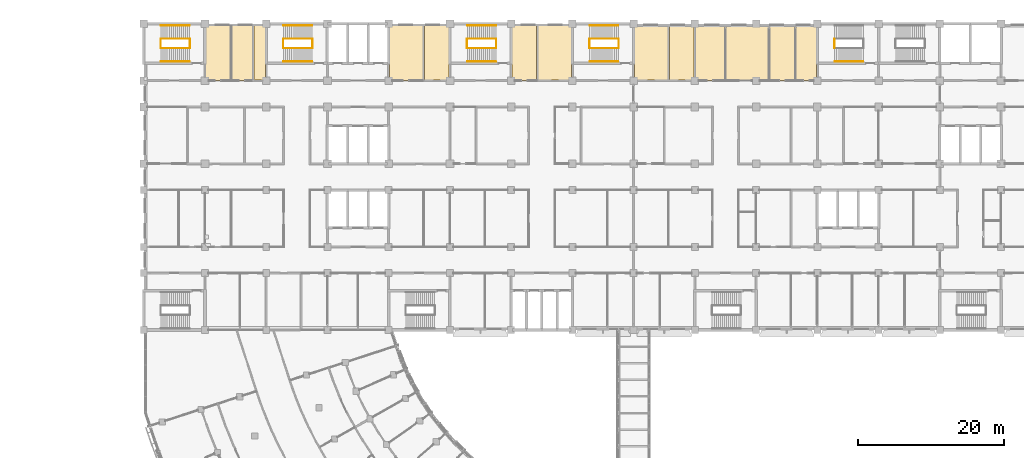
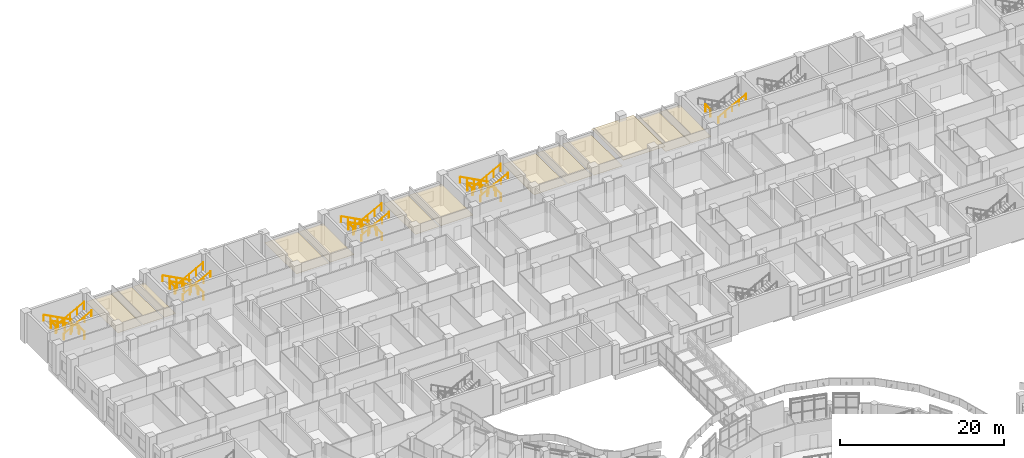
# One storey, part 133 of 136: 26 railings, 13 coverings.
"""IFC4 building model written with IfcOpenShell, lengths in metres."""

import ifcopenshell
import ifcopenshell.guid

model = None  # the IFC model being written
_history = None  # IfcOwnerHistory: only IFC2X3 demands one
_inside = {}  # id of a spatial element -> (the spatial element, [elements in it])
_under = {}  # id of a project, library or spatial element -> (it, [spatial elements below it])
_declared = {}  # id of a project -> (the project, [libraries it declares])
_typed = {}  # id of a type object -> (the type object, [elements of that type])
_made_of = {}  # id of a material, layer set ... -> (it, [elements and type objects made of it])


def new_model(schema):
    """Start an empty IFC model of exactly this schema.

    Asked for "IFC4X3", IfcOpenShell would pick the latest addendum, in which some entities
    have other attributes; the version numbers below select the first issue.
    IFC2X3 requires an IfcOwnerHistory on every rooted entity: one is made here for all.
    """
    global model, _history
    if schema == "IFC4X3":
        model = ifcopenshell.file(schema_version=(4, 3, 0, 0))
    else:
        model = ifcopenshell.file(schema=schema)
    _inside.clear()
    _under.clear()
    _declared.clear()
    _typed.clear()
    _made_of.clear()
    _history = None
    if model.schema == "IFC2X3":
        org = make("IfcOrganization", Name="unknown")
        user = make(
            "IfcPersonAndOrganization",
            ThePerson=make("IfcPerson", FamilyName="unknown"),
            TheOrganization=org,
        )
        app = make(
            "IfcApplication",
            ApplicationDeveloper=org,
            Version="unknown",
            ApplicationFullName="unknown",
            ApplicationIdentifier="unknown",
        )
        _history = make(
            "IfcOwnerHistory",
            OwningUser=user,
            OwningApplication=app,
            ChangeAction="ADDED",
            CreationDate=0,
        )
    return model


def make(cls, **values):
    """One entity of the class cls with the attributes given. An attribute that is None is left unset."""
    return model.create_entity(
        cls, **{name: value for name, value in values.items() if value is not None}
    )


def rooted(cls, **values):
    """An entity with a GlobalId (a new one), such as an element, a storey or a relation."""
    return make(cls, GlobalId=ifcopenshell.guid.new(), OwnerHistory=_history, **values)


def si_unit(unit_type, name, prefix=None):
    """IfcSIUnit, for example si_unit("LENGTHUNIT", "METRE", prefix="MILLI")."""
    return make("IfcSIUnit", UnitType=unit_type, Prefix=prefix, Name=name)


def assignment(units):
    """IfcUnitAssignment: the units of a project."""
    return None if units is None else make("IfcUnitAssignment", Units=units)


def point(xyz):
    """IfcCartesianPoint."""
    return None if xyz is None else make("IfcCartesianPoint", Coordinates=xyz)


def direction(xyz):
    """IfcDirection."""
    return None if xyz is None else make("IfcDirection", DirectionRatios=xyz)


def frame(location, z_axis=None, x_axis=None):
    """IfcAxis2Placement3D, a coordinate frame: its origin and axes. An axis left out is left unset."""
    return make(
        "IfcAxis2Placement3D",
        Location=point(location),
        Axis=direction(z_axis),
        RefDirection=direction(x_axis),
    )


def frame_2d(location, x_axis=None):
    """IfcAxis2Placement2D, a coordinate frame in the plane: its origin and x axis."""
    return make(
        "IfcAxis2Placement2D", Location=point(location), RefDirection=direction(x_axis)
    )


def origin():
    """The frame at (0, 0, 0) with its axes left unset."""
    return frame((0.0, 0.0, 0.0))


def origin_2d():
    """The frame at (0, 0) in the plane with its x axis left unset."""
    return frame_2d((0.0, 0.0))


def place(relative_to, where):
    """IfcLocalPlacement: puts the frame where relative to a parent placement (None: the world)."""
    return make(
        "IfcLocalPlacement", PlacementRelTo=relative_to, RelativePlacement=where
    )


def context(
    kind, dimensions, precision=None, world=None, true_north=None, identifier=None
):
    """IfcGeometricRepresentationContext, for example the 3D "Model" context."""
    return make(
        "IfcGeometricRepresentationContext",
        ContextIdentifier=identifier,
        ContextType=kind,
        CoordinateSpaceDimension=dimensions,
        Precision=precision,
        WorldCoordinateSystem=world,
        TrueNorth=true_north,
    )


def subcontext(parent, identifier, kind, view, scale=None):
    """IfcGeometricRepresentationSubContext, for example "Body" below "Model"."""
    return make(
        "IfcGeometricRepresentationSubContext",
        ContextIdentifier=identifier,
        ContextType=kind,
        ParentContext=parent,
        TargetScale=scale,
        TargetView=view,
    )


def project(units=None, contexts=None):
    """IfcProject with its units and contexts."""
    return rooted(
        "IfcProject",
        Name="project",
        RepresentationContexts=contexts,
        UnitsInContext=assignment(units),
    )


def spatial(cls, under=None, at=None, **own):
    """A site, building, storey or space (cls), placed at a placement, below another one or the project."""
    s = rooted(cls, ObjectPlacement=at, **own)
    if under is not None:
        _under.setdefault(under.id(), (under, []))[1].append(s)
    return s


def polyline(points):
    """IfcPolyline through the points."""
    return make("IfcPolyline", Points=[point(p) for p in points])


def profile(cls, at=None, kind="AREA", **sizes):
    """A parametric profile (cls). Its sizes go by their IFC names, for example OverallWidth=200.0."""
    return make(cls, ProfileType=kind, Position=at, **sizes)


def circle(**sizes):
    """IfcCircleProfileDef."""
    return profile("IfcCircleProfileDef", **sizes)


def outline(outer, holes=None, kind="AREA"):
    """IfcArbitraryClosedProfileDef: a profile drawn as a closed curve; with holes, ...WithVoids."""
    if holes is None:
        return make("IfcArbitraryClosedProfileDef", ProfileType=kind, OuterCurve=outer)
    return make(
        "IfcArbitraryProfileDefWithVoids",
        ProfileType=kind,
        OuterCurve=outer,
        InnerCurves=holes,
    )


def extrude(swept, where, along, depth):
    """IfcExtrudedAreaSolid: the profile swept, set in the frame where, extruded along a direction by depth."""
    return make(
        "IfcExtrudedAreaSolid",
        SweptArea=swept,
        Position=where,
        ExtrudedDirection=direction(along),
        Depth=depth,
    )


def shape(context_of_items, identifier, shape_type, items):
    """IfcShapeRepresentation: the items that make up one representation, for example the "Body"."""
    return make(
        "IfcShapeRepresentation",
        ContextOfItems=context_of_items,
        RepresentationIdentifier=identifier,
        RepresentationType=shape_type,
        Items=items,
    )


def material(Name=None, Category=None):
    """IfcMaterial."""
    return make("IfcMaterial", Name=Name, Category=Category)


def layer(
    of_material, thickness, ventilated=None, Name=None, Category=None, Priority=None
):
    """IfcMaterialLayer: one layer of a wall or slab, of a material (None: an air gap)."""
    return make(
        "IfcMaterialLayer",
        Material=of_material,
        LayerThickness=thickness,
        IsVentilated=ventilated,
        Name=Name,
        Category=Category,
        Priority=Priority,
    )


def layer_set(layers, Name=None):
    """IfcMaterialLayerSet."""
    return make("IfcMaterialLayerSet", MaterialLayers=layers, LayerSetName=Name)


def made_of(thing, what):
    """Note that an element or type object is made of a material, layer set ...; save() writes the relation."""
    if what is not None:
        _made_of.setdefault(what.id(), (what, []))[1].append(thing)
    return thing


def type_object(cls, material=None, **own):
    """A type object (cls), such as IfcWallType, which elements share."""
    return made_of(rooted(cls, **own), material)


def element(
    cls,
    number,
    at=None,
    inside=None,
    cuts=None,
    type_object=None,
    material=None,
    context=None,
    identifier="Body",
    shape_type=None,
    held_by="IfcProductDefinitionShape",
    body=None,
    shapes=None,
    **own,
):
    """One element of the class cls, such as IfcWall. Its Tag is "e" and its number.

    at: its placement. inside: the storey or other place that contains it. cuts: it is an
    opening in that element (IfcRelVoidsElement). A single representation is given by context,
    identifier, shape_type and body (its items); several are given by shapes. held_by: the class
    of the entity that holds the representations. save() writes the other relations.
    """
    e = rooted(cls, Tag="e%d" % number, ObjectPlacement=at, **own)
    if body is not None:
        shapes = [shape(context, identifier, shape_type, body)]
    if shapes is not None:
        e.Representation = make(held_by, Representations=shapes)
    if inside is not None:
        _inside.setdefault(inside.id(), (inside, []))[1].append(e)
    if cuts is not None:
        rooted(
            "IfcRelVoidsElement", RelatingBuildingElement=cuts, RelatedOpeningElement=e
        )
    if type_object is not None:
        _typed.setdefault(type_object.id(), (type_object, []))[1].append(e)
    return made_of(e, material)


def aggregate(whole, parts):
    """IfcRelAggregates: a whole, such as a stair, and the parts it consists of."""
    return rooted("IfcRelAggregates", RelatingObject=whole, RelatedObjects=parts)


def save(model, path):
    """Write the relations noted so far, then the file.

    IfcRelAggregates (storeys below a building ...), IfcRelContainedInSpatialStructure (elements
    in a storey), IfcRelDefinesByType, IfcRelAssociatesMaterial and IfcRelDeclares: one each for
    every whole, place, type object, material and project.
    """
    for whole, parts in _under.values():
        aggregate(whole, parts)
    for where, things in _inside.values():
        rooted(
            "IfcRelContainedInSpatialStructure",
            RelatedElements=things,
            RelatingStructure=where,
        )
    for kind, things in _typed.values():
        rooted("IfcRelDefinesByType", RelatedObjects=things, RelatingType=kind)
    for what, things in _made_of.values():
        rooted("IfcRelAssociatesMaterial", RelatedObjects=things, RelatingMaterial=what)
    for by, libraries in _declared.values():
        rooted("IfcRelDeclares", RelatingContext=by, RelatedDefinitions=libraries)
    model.write(path)


model = new_model("IFC4")

# Units and contexts
model_context = context("Model", 3, precision=1e-05, world=origin(), true_north=direction((0.0, 1.0)))
body_context = subcontext(model_context, "Body", "Model", "MODEL_VIEW")
ifc_project = project(units=[si_unit("LENGTHUNIT", "METRE"), si_unit("AREAUNIT", "SQUARE_METRE"), si_unit("VOLUMEUNIT", "CUBIC_METRE"), si_unit("PLANEANGLEUNIT", "RADIAN"), si_unit("MASSUNIT", "GRAM", prefix="KILO")], contexts=[model_context])

# Site, building, storey
site_placement = place(None, origin())
site = spatial("IfcSite", under=ifc_project, at=site_placement, CompositionType="ELEMENT")
building_placement = place(site_placement, origin())
building = spatial("IfcBuilding", under=site, at=building_placement, Name="Bougainvillea Quay General Hospital", CompositionType="ELEMENT")
storey_placement = place(building_placement, frame((0.0, 0.0, 5.39990234375)))
storey = spatial("IfcBuildingStorey", under=building, at=storey_placement, Name="L01", CompositionType="ELEMENT", Elevation=5.39990234375)

# Railings
ifc_material_1 = material(Name="Stainless steel 304 balustrade", Category="steel")
railing_type_1 = type_object("IfcRailingType", Name="Stair guard 1100", PredefinedType="GUARDRAIL", material=ifc_material_1)
railing_1_placement = place(storey_placement, frame((65.10009765625, 157.550048828125, 0.150146484375)))
element("IfcRailing", 1, at=railing_1_placement, inside=storey, type_object=railing_type_1, Name="L01 ST-D1 stair guard 1", PredefinedType="GUARDRAIL", context=body_context, shape_type="SweptSolid", body=[
    extrude(circle(Radius=0.02392578125, at=origin_2d()), frame((0.0, 0.0, 1.076171875), z_axis=(-0.881502004561, 0.0, 0.472180279083), x_axis=(0.0, -1.0, 0.0)), (0.0, 0.0, 1.0), 4.447265625),
    extrude(circle(Radius=0.02099609375, at=origin_2d()), origin(), (0.0, 0.0, 1.0), 1.052001953125),
    extrude(circle(Radius=0.02099609375, at=origin_2d()), frame((-0.97998046875, 0.0, 0.52490234375)), (0.0, 0.0, 1.0), 1.052001953125),
    extrude(circle(Radius=0.02099609375, at=origin_2d()), frame((-1.9599609375, 0.0, 1.0498046875)), (0.0, 0.0, 1.0), 1.052001953125),
    extrude(circle(Radius=0.02099609375, at=origin_2d()), frame((-2.940185546875, 0.0, 1.574951171875)), (0.0, 0.0, 1.0), 1.052001953125),
    extrude(circle(Radius=0.02099609375, at=origin_2d()), frame((-3.920166015625, 0.0, 2.099853515625)), (0.0, 0.0, 1.0), 1.052001953125),
])
railing_2_placement = place(storey_placement, frame((61.1298828125, 157.5, 2.25)))
element("IfcRailing", 2, at=railing_2_placement, inside=storey, type_object=railing_type_1, Name="L01 ST-D1 stair guard 2", PredefinedType="GUARDRAIL", context=body_context, shape_type="SweptSolid", body=[
    extrude(circle(Radius=0.02392578125, at=origin_2d()), frame((0.0, 0.0, 1.076171875), z_axis=(0.0, -1.0, 0.0), x_axis=(1.0, 0.0, 0.0)), (0.0, 0.0, 1.0), 1.199951171875),
    extrude(circle(Radius=0.02099609375, at=origin_2d()), origin(), (0.0, 0.0, 1.0), 1.052001953125),
    extrude(circle(Radius=0.02099609375, at=origin_2d()), frame((0.0, -1.199951171875, 0.0)), (0.0, 0.0, 1.0), 1.052001953125),
])
railing_3_placement = place(storey_placement, frame((61.179931640625, 156.25, 2.400146484375)))
element("IfcRailing", 3, at=railing_3_placement, inside=storey, type_object=railing_type_1, Name="L01 ST-D1 stair guard 3", PredefinedType="GUARDRAIL", context=body_context, shape_type="SweptSolid", body=[
    extrude(circle(Radius=0.02392578125, at=origin_2d()), frame((0.0, 0.0, 1.076171875), z_axis=(0.881502004561, 0.0, 0.472180279083), x_axis=(0.0, 1.0, 0.0)), (0.0, 0.0, 1.0), 4.447265625),
    extrude(circle(Radius=0.02099609375, at=origin_2d()), origin(), (0.0, 0.0, 1.0), 1.052001953125),
    extrude(circle(Radius=0.02099609375, at=origin_2d()), frame((0.97998046875, 0.0, 0.52490234375)), (0.0, 0.0, 1.0), 1.052001953125),
    extrude(circle(Radius=0.02099609375, at=origin_2d()), frame((1.9599609375, 0.0, 1.0498046875)), (0.0, 0.0, 1.0), 1.052001953125),
    extrude(circle(Radius=0.02099609375, at=origin_2d()), frame((2.940185546875, 0.0, 1.574951171875)), (0.0, 0.0, 1.0), 1.052001953125),
    extrude(circle(Radius=0.02099609375, at=origin_2d()), frame((3.920166015625, 0.0, 2.099853515625)), (0.0, 0.0, 1.0), 1.052001953125),
])
railing_4_placement = place(storey_placement, frame((65.14990234375, 157.5, 0.0)))
element("IfcRailing", 4, at=railing_4_placement, inside=storey, type_object=railing_type_1, Name="L01 ST-D1 stair guard 4", PredefinedType="GUARDRAIL", context=body_context, shape_type="SweptSolid", body=[
    extrude(circle(Radius=0.02392578125, at=origin_2d()), frame((0.0, 0.0, 1.076171875), z_axis=(0.0, -1.0, 0.0), x_axis=(1.0, 0.0, 0.0)), (0.0, 0.0, 1.0), 1.199951171875),
    extrude(circle(Radius=0.02099609375, at=origin_2d()), origin(), (0.0, 0.0, 1.0), 1.052001953125),
    extrude(circle(Radius=0.02099609375, at=origin_2d()), frame((0.0, -1.199951171875, 0.0)), (0.0, 0.0, 1.0), 1.052001953125),
])
railing_5_placement = place(storey_placement, frame((48.300048828125, 157.550048828125, 0.150146484375)))
element("IfcRailing", 5, at=railing_5_placement, inside=storey, type_object=railing_type_1, Name="L01 ST-A1 stair guard 1", PredefinedType="GUARDRAIL", context=body_context, shape_type="SweptSolid", body=[
    extrude(circle(Radius=0.02392578125, at=origin_2d()), frame((0.0, 0.0, 1.076171875), z_axis=(-0.881502004561, 0.0, 0.472180279083), x_axis=(0.0, -1.0, 0.0)), (0.0, 0.0, 1.0), 4.447265625),
    extrude(circle(Radius=0.02099609375, at=origin_2d()), origin(), (0.0, 0.0, 1.0), 1.052001953125),
    extrude(circle(Radius=0.02099609375, at=origin_2d()), frame((-0.97998046875, 0.0, 0.52490234375)), (0.0, 0.0, 1.0), 1.052001953125),
    extrude(circle(Radius=0.02099609375, at=origin_2d()), frame((-1.9599609375, 0.0, 1.0498046875)), (0.0, 0.0, 1.0), 1.052001953125),
    extrude(circle(Radius=0.02099609375, at=origin_2d()), frame((-2.940185546875, 0.0, 1.574951171875)), (0.0, 0.0, 1.0), 1.052001953125),
    extrude(circle(Radius=0.02099609375, at=origin_2d()), frame((-3.920166015625, 0.0, 2.099853515625)), (0.0, 0.0, 1.0), 1.052001953125),
])
railing_6_placement = place(storey_placement, frame((44.330078125, 157.5, 2.25)))
element("IfcRailing", 6, at=railing_6_placement, inside=storey, type_object=railing_type_1, Name="L01 ST-A1 stair guard 2", PredefinedType="GUARDRAIL", context=body_context, shape_type="SweptSolid", body=[
    extrude(circle(Radius=0.02392578125, at=origin_2d()), frame((0.0, 0.0, 1.076171875), z_axis=(0.0, -1.0, 0.0), x_axis=(1.0, 0.0, 0.0)), (0.0, 0.0, 1.0), 1.199951171875),
    extrude(circle(Radius=0.02099609375, at=origin_2d()), origin(), (0.0, 0.0, 1.0), 1.052001953125),
    extrude(circle(Radius=0.02099609375, at=origin_2d()), frame((0.0, -1.199951171875, 0.0)), (0.0, 0.0, 1.0), 1.052001953125),
])
railing_7_placement = place(storey_placement, frame((44.3798828125, 156.25, 2.400146484375)))
element("IfcRailing", 7, at=railing_7_placement, inside=storey, type_object=railing_type_1, Name="L01 ST-A1 stair guard 3", PredefinedType="GUARDRAIL", context=body_context, shape_type="SweptSolid", body=[
    extrude(circle(Radius=0.02392578125, at=origin_2d()), frame((0.0, 0.0, 1.076171875), z_axis=(0.881502004561, 0.0, 0.472180279083), x_axis=(0.0, 1.0, 0.0)), (0.0, 0.0, 1.0), 4.447265625),
    extrude(circle(Radius=0.02099609375, at=origin_2d()), origin(), (0.0, 0.0, 1.0), 1.052001953125),
    extrude(circle(Radius=0.02099609375, at=origin_2d()), frame((0.97998046875, 0.0, 0.52490234375)), (0.0, 0.0, 1.0), 1.052001953125),
    extrude(circle(Radius=0.02099609375, at=origin_2d()), frame((1.9599609375, 0.0, 1.0498046875)), (0.0, 0.0, 1.0), 1.052001953125),
    extrude(circle(Radius=0.02099609375, at=origin_2d()), frame((2.940185546875, 0.0, 1.574951171875)), (0.0, 0.0, 1.0), 1.052001953125),
    extrude(circle(Radius=0.02099609375, at=origin_2d()), frame((3.920166015625, 0.0, 2.099853515625)), (0.0, 0.0, 1.0), 1.052001953125),
])
railing_8_placement = place(storey_placement, frame((48.35009765625, 157.5, 0.0)))
element("IfcRailing", 8, at=railing_8_placement, inside=storey, type_object=railing_type_1, Name="L01 ST-A1 stair guard 4", PredefinedType="GUARDRAIL", context=body_context, shape_type="SweptSolid", body=[
    extrude(circle(Radius=0.02392578125, at=origin_2d()), frame((0.0, 0.0, 1.076171875), z_axis=(0.0, -1.0, 0.0), x_axis=(1.0, 0.0, 0.0)), (0.0, 0.0, 1.0), 1.199951171875),
    extrude(circle(Radius=0.02099609375, at=origin_2d()), origin(), (0.0, 0.0, 1.0), 1.052001953125),
    extrude(circle(Radius=0.02099609375, at=origin_2d()), frame((0.0, -1.199951171875, 0.0)), (0.0, 0.0, 1.0), 1.052001953125),
])
railing_9_placement = place(storey_placement, frame((90.300048828125, 157.550048828125, 0.150146484375)))
element("IfcRailing", 9, at=railing_9_placement, inside=storey, type_object=railing_type_1, Name="L01 ST-A2 stair guard 1", PredefinedType="GUARDRAIL", context=body_context, shape_type="SweptSolid", body=[
    extrude(circle(Radius=0.02392578125, at=origin_2d()), frame((0.0, 0.0, 1.076171875), z_axis=(-0.881502004561, 0.0, 0.472180279083), x_axis=(0.0, -1.0, 0.0)), (0.0, 0.0, 1.0), 4.447265625),
    extrude(circle(Radius=0.02099609375, at=origin_2d()), origin(), (0.0, 0.0, 1.0), 1.052001953125),
    extrude(circle(Radius=0.02099609375, at=origin_2d()), frame((-0.97998046875, 0.0, 0.52490234375)), (0.0, 0.0, 1.0), 1.052001953125),
    extrude(circle(Radius=0.02099609375, at=origin_2d()), frame((-1.9599609375, 0.0, 1.0498046875)), (0.0, 0.0, 1.0), 1.052001953125),
    extrude(circle(Radius=0.02099609375, at=origin_2d()), frame((-2.940185546875, 0.0, 1.574951171875)), (0.0, 0.0, 1.0), 1.052001953125),
    extrude(circle(Radius=0.02099609375, at=origin_2d()), frame((-3.920166015625, 0.0, 2.099853515625)), (0.0, 0.0, 1.0), 1.052001953125),
])
railing_10_placement = place(storey_placement, frame((86.330078125, 157.5, 2.25)))
element("IfcRailing", 10, at=railing_10_placement, inside=storey, type_object=railing_type_1, Name="L01 ST-A2 stair guard 2", PredefinedType="GUARDRAIL", context=body_context, shape_type="SweptSolid", body=[
    extrude(circle(Radius=0.02392578125, at=origin_2d()), frame((0.0, 0.0, 1.076171875), z_axis=(0.0, -1.0, 0.0), x_axis=(1.0, 0.0, 0.0)), (0.0, 0.0, 1.0), 1.199951171875),
    extrude(circle(Radius=0.02099609375, at=origin_2d()), origin(), (0.0, 0.0, 1.0), 1.052001953125),
    extrude(circle(Radius=0.02099609375, at=origin_2d()), frame((0.0, -1.199951171875, 0.0)), (0.0, 0.0, 1.0), 1.052001953125),
])
railing_11_placement = place(storey_placement, frame((86.3798828125, 156.25, 2.400146484375)))
element("IfcRailing", 11, at=railing_11_placement, inside=storey, type_object=railing_type_1, Name="L01 ST-A2 stair guard 3", PredefinedType="GUARDRAIL", context=body_context, shape_type="SweptSolid", body=[
    extrude(circle(Radius=0.02392578125, at=origin_2d()), frame((0.0, 0.0, 1.076171875), z_axis=(0.881502004561, 0.0, 0.472180279083), x_axis=(0.0, 1.0, 0.0)), (0.0, 0.0, 1.0), 4.447265625),
    extrude(circle(Radius=0.02099609375, at=origin_2d()), origin(), (0.0, 0.0, 1.0), 1.052001953125),
    extrude(circle(Radius=0.02099609375, at=origin_2d()), frame((0.97998046875, 0.0, 0.52490234375)), (0.0, 0.0, 1.0), 1.052001953125),
    extrude(circle(Radius=0.02099609375, at=origin_2d()), frame((1.9599609375, 0.0, 1.0498046875)), (0.0, 0.0, 1.0), 1.052001953125),
    extrude(circle(Radius=0.02099609375, at=origin_2d()), frame((2.940185546875, 0.0, 1.574951171875)), (0.0, 0.0, 1.0), 1.052001953125),
    extrude(circle(Radius=0.02099609375, at=origin_2d()), frame((3.920166015625, 0.0, 2.099853515625)), (0.0, 0.0, 1.0), 1.052001953125),
])
for number, where, name in (
    (12, (90.35009765625, 157.5, 0.0), "L01 ST-A2 stair guard 4"),
    (13, (136.72998046875, 157.5, 2.25), "L01 ST-A3 stair guard 2"),
):
    element("IfcRailing", number, at=place(storey_placement, frame(where)), inside=storey, type_object=railing_type_1, Name=name, PredefinedType="GUARDRAIL", context=body_context, shape_type="SweptSolid", body=[
        extrude(circle(Radius=0.02392578125, at=origin_2d()), frame((0.0, 0.0, 1.076171875), z_axis=(0.0, -1.0, 0.0), x_axis=(1.0, 0.0, 0.0)), (0.0, 0.0, 1.0), 1.199951171875),
        extrude(circle(Radius=0.02099609375, at=origin_2d()), origin(), (0.0, 0.0, 1.0), 1.052001953125),
        extrude(circle(Radius=0.02099609375, at=origin_2d()), frame((0.0, -1.199951171875, 0.0)), (0.0, 0.0, 1.0), 1.052001953125),
    ])
railing_12_placement = place(storey_placement, frame((107.10009765625, 157.550048828125, 0.150146484375)))
element("IfcRailing", 14, at=railing_12_placement, inside=storey, type_object=railing_type_1, Name="L01 ST-A5 stair guard 1", PredefinedType="GUARDRAIL", context=body_context, shape_type="SweptSolid", body=[
    extrude(circle(Radius=0.02392578125, at=origin_2d()), frame((0.0, 0.0, 1.076171875), z_axis=(-0.881502004561, 0.0, 0.472180279083), x_axis=(0.0, -1.0, 0.0)), (0.0, 0.0, 1.0), 4.447265625),
    extrude(circle(Radius=0.02099609375, at=origin_2d()), origin(), (0.0, 0.0, 1.0), 1.052001953125),
    extrude(circle(Radius=0.02099609375, at=origin_2d()), frame((-0.97998046875, 0.0, 0.52490234375)), (0.0, 0.0, 1.0), 1.052001953125),
    extrude(circle(Radius=0.02099609375, at=origin_2d()), frame((-1.9599609375, 0.0, 1.0498046875)), (0.0, 0.0, 1.0), 1.052001953125),
    extrude(circle(Radius=0.02099609375, at=origin_2d()), frame((-2.940185546875, 0.0, 1.574951171875)), (0.0, 0.0, 1.0), 1.052001953125),
    extrude(circle(Radius=0.02099609375, at=origin_2d()), frame((-3.920166015625, 0.0, 2.099853515625)), (0.0, 0.0, 1.0), 1.052001953125),
])
railing_13_placement = place(storey_placement, frame((103.1298828125, 157.5, 2.25)))
element("IfcRailing", 15, at=railing_13_placement, inside=storey, type_object=railing_type_1, Name="L01 ST-A5 stair guard 2", PredefinedType="GUARDRAIL", context=body_context, shape_type="SweptSolid", body=[
    extrude(circle(Radius=0.02392578125, at=origin_2d()), frame((0.0, 0.0, 1.076171875), z_axis=(0.0, -1.0, 0.0), x_axis=(1.0, 0.0, 0.0)), (0.0, 0.0, 1.0), 1.199951171875),
    extrude(circle(Radius=0.02099609375, at=origin_2d()), origin(), (0.0, 0.0, 1.0), 1.052001953125),
    extrude(circle(Radius=0.02099609375, at=origin_2d()), frame((0.0, -1.199951171875, 0.0)), (0.0, 0.0, 1.0), 1.052001953125),
])
railing_14_placement = place(storey_placement, frame((103.179931640625, 156.25, 2.400146484375)))
element("IfcRailing", 16, at=railing_14_placement, inside=storey, type_object=railing_type_1, Name="L01 ST-A5 stair guard 3", PredefinedType="GUARDRAIL", context=body_context, shape_type="SweptSolid", body=[
    extrude(circle(Radius=0.02392578125, at=origin_2d()), frame((0.0, 0.0, 1.076171875), z_axis=(0.881502004561, 0.0, 0.472180279083), x_axis=(0.0, 1.0, 0.0)), (0.0, 0.0, 1.0), 4.447265625),
    extrude(circle(Radius=0.02099609375, at=origin_2d()), origin(), (0.0, 0.0, 1.0), 1.052001953125),
    extrude(circle(Radius=0.02099609375, at=origin_2d()), frame((0.97998046875, 0.0, 0.52490234375)), (0.0, 0.0, 1.0), 1.052001953125),
    extrude(circle(Radius=0.02099609375, at=origin_2d()), frame((1.9599609375, 0.0, 1.0498046875)), (0.0, 0.0, 1.0), 1.052001953125),
    extrude(circle(Radius=0.02099609375, at=origin_2d()), frame((2.940185546875, 0.0, 1.574951171875)), (0.0, 0.0, 1.0), 1.052001953125),
    extrude(circle(Radius=0.02099609375, at=origin_2d()), frame((3.920166015625, 0.0, 2.099853515625)), (0.0, 0.0, 1.0), 1.052001953125),
])
railing_15_placement = place(storey_placement, frame((107.14990234375, 157.5, 0.0)))
element("IfcRailing", 17, at=railing_15_placement, inside=storey, type_object=railing_type_1, Name="L01 ST-A5 stair guard 4", PredefinedType="GUARDRAIL", context=body_context, shape_type="SweptSolid", body=[
    extrude(circle(Radius=0.02392578125, at=origin_2d()), frame((0.0, 0.0, 1.076171875), z_axis=(0.0, -1.0, 0.0), x_axis=(1.0, 0.0, 0.0)), (0.0, 0.0, 1.0), 1.199951171875),
    extrude(circle(Radius=0.02099609375, at=origin_2d()), origin(), (0.0, 0.0, 1.0), 1.052001953125),
    extrude(circle(Radius=0.02099609375, at=origin_2d()), frame((0.0, -1.199951171875, 0.0)), (0.0, 0.0, 1.0), 1.052001953125),
])
ifc_material_2 = material(Name="Stainless steel 304 handrail", Category="steel")
railing_type_2 = type_object("IfcRailingType", Name="Stair handrail 900", PredefinedType="HANDRAIL", material=ifc_material_2)
railing_16_placement = place(storey_placement, frame((65.10009765625, 159.375, 0.150146484375)))
element("IfcRailing", 18, at=railing_16_placement, inside=storey, type_object=railing_type_2, Name="L01 ST-D1 stair handrail 1", PredefinedType="HANDRAIL", context=body_context, shape_type="SweptSolid", body=[
    extrude(circle(Radius=0.02392578125, at=origin_2d()), frame((0.0, 0.0, 0.8759765625), z_axis=(-0.881502004561, 0.0, 0.472180279083), x_axis=(0.0, -1.0, 0.0)), (0.0, 0.0, 1.0), 4.447265625),
    extrude(circle(Radius=0.02099609375, at=origin_2d()), origin(), (0.0, 0.0, 1.0), 0.851806640625),
    extrude(circle(Radius=0.02099609375, at=origin_2d()), frame((-0.97998046875, 0.0, 0.52490234375)), (0.0, 0.0, 1.0), 0.851806640625),
    extrude(circle(Radius=0.02099609375, at=origin_2d()), frame((-1.9599609375, 0.0, 1.0498046875)), (0.0, 0.0, 1.0), 0.851806640625),
    extrude(circle(Radius=0.02099609375, at=origin_2d()), frame((-2.940185546875, 0.0, 1.574951171875)), (0.0, 0.0, 1.0), 0.851806640625),
    extrude(circle(Radius=0.02099609375, at=origin_2d()), frame((-3.920166015625, 0.0, 2.099853515625)), (0.0, 0.0, 1.0), 0.851806640625),
])
railing_17_placement = place(storey_placement, frame((61.179931640625, 154.425048828125, 2.400146484375)))
element("IfcRailing", 19, at=railing_17_placement, inside=storey, type_object=railing_type_2, Name="L01 ST-D1 stair handrail 2", PredefinedType="HANDRAIL", context=body_context, shape_type="SweptSolid", body=[
    extrude(circle(Radius=0.02392578125, at=origin_2d()), frame((0.0, 0.0, 0.8759765625), z_axis=(0.881502004561, 0.0, 0.472180279083), x_axis=(0.0, 1.0, 0.0)), (0.0, 0.0, 1.0), 4.447265625),
    extrude(circle(Radius=0.02099609375, at=origin_2d()), origin(), (0.0, 0.0, 1.0), 0.851806640625),
    extrude(circle(Radius=0.02099609375, at=origin_2d()), frame((0.97998046875, 0.0, 0.52490234375)), (0.0, 0.0, 1.0), 0.851806640625),
    extrude(circle(Radius=0.02099609375, at=origin_2d()), frame((1.9599609375, 0.0, 1.0498046875)), (0.0, 0.0, 1.0), 0.851806640625),
    extrude(circle(Radius=0.02099609375, at=origin_2d()), frame((2.940185546875, 0.0, 1.574951171875)), (0.0, 0.0, 1.0), 0.851806640625),
    extrude(circle(Radius=0.02099609375, at=origin_2d()), frame((3.920166015625, 0.0, 2.099853515625)), (0.0, 0.0, 1.0), 0.851806640625),
])
railing_18_placement = place(storey_placement, frame((48.300048828125, 159.375, 0.150146484375)))
element("IfcRailing", 20, at=railing_18_placement, inside=storey, type_object=railing_type_2, Name="L01 ST-A1 stair handrail 1", PredefinedType="HANDRAIL", context=body_context, shape_type="SweptSolid", body=[
    extrude(circle(Radius=0.02392578125, at=origin_2d()), frame((0.0, 0.0, 0.8759765625), z_axis=(-0.881502004561, 0.0, 0.472180279083), x_axis=(0.0, -1.0, 0.0)), (0.0, 0.0, 1.0), 4.447265625),
    extrude(circle(Radius=0.02099609375, at=origin_2d()), origin(), (0.0, 0.0, 1.0), 0.851806640625),
    extrude(circle(Radius=0.02099609375, at=origin_2d()), frame((-0.97998046875, 0.0, 0.52490234375)), (0.0, 0.0, 1.0), 0.851806640625),
    extrude(circle(Radius=0.02099609375, at=origin_2d()), frame((-1.9599609375, 0.0, 1.0498046875)), (0.0, 0.0, 1.0), 0.851806640625),
    extrude(circle(Radius=0.02099609375, at=origin_2d()), frame((-2.940185546875, 0.0, 1.574951171875)), (0.0, 0.0, 1.0), 0.851806640625),
    extrude(circle(Radius=0.02099609375, at=origin_2d()), frame((-3.920166015625, 0.0, 2.099853515625)), (0.0, 0.0, 1.0), 0.851806640625),
])
railing_19_placement = place(storey_placement, frame((44.3798828125, 154.425048828125, 2.400146484375)))
element("IfcRailing", 21, at=railing_19_placement, inside=storey, type_object=railing_type_2, Name="L01 ST-A1 stair handrail 2", PredefinedType="HANDRAIL", context=body_context, shape_type="SweptSolid", body=[
    extrude(circle(Radius=0.02392578125, at=origin_2d()), frame((0.0, 0.0, 0.8759765625), z_axis=(0.881502004561, 0.0, 0.472180279083), x_axis=(0.0, 1.0, 0.0)), (0.0, 0.0, 1.0), 4.447265625),
    extrude(circle(Radius=0.02099609375, at=origin_2d()), origin(), (0.0, 0.0, 1.0), 0.851806640625),
    extrude(circle(Radius=0.02099609375, at=origin_2d()), frame((0.97998046875, 0.0, 0.52490234375)), (0.0, 0.0, 1.0), 0.851806640625),
    extrude(circle(Radius=0.02099609375, at=origin_2d()), frame((1.9599609375, 0.0, 1.0498046875)), (0.0, 0.0, 1.0), 0.851806640625),
    extrude(circle(Radius=0.02099609375, at=origin_2d()), frame((2.940185546875, 0.0, 1.574951171875)), (0.0, 0.0, 1.0), 0.851806640625),
    extrude(circle(Radius=0.02099609375, at=origin_2d()), frame((3.920166015625, 0.0, 2.099853515625)), (0.0, 0.0, 1.0), 0.851806640625),
])
railing_20_placement = place(storey_placement, frame((90.300048828125, 159.375, 0.150146484375)))
element("IfcRailing", 22, at=railing_20_placement, inside=storey, type_object=railing_type_2, Name="L01 ST-A2 stair handrail 1", PredefinedType="HANDRAIL", context=body_context, shape_type="SweptSolid", body=[
    extrude(circle(Radius=0.02392578125, at=origin_2d()), frame((0.0, 0.0, 0.8759765625), z_axis=(-0.881502004561, 0.0, 0.472180279083), x_axis=(0.0, -1.0, 0.0)), (0.0, 0.0, 1.0), 4.447265625),
    extrude(circle(Radius=0.02099609375, at=origin_2d()), origin(), (0.0, 0.0, 1.0), 0.851806640625),
    extrude(circle(Radius=0.02099609375, at=origin_2d()), frame((-0.97998046875, 0.0, 0.52490234375)), (0.0, 0.0, 1.0), 0.851806640625),
    extrude(circle(Radius=0.02099609375, at=origin_2d()), frame((-1.9599609375, 0.0, 1.0498046875)), (0.0, 0.0, 1.0), 0.851806640625),
    extrude(circle(Radius=0.02099609375, at=origin_2d()), frame((-2.940185546875, 0.0, 1.574951171875)), (0.0, 0.0, 1.0), 0.851806640625),
    extrude(circle(Radius=0.02099609375, at=origin_2d()), frame((-3.920166015625, 0.0, 2.099853515625)), (0.0, 0.0, 1.0), 0.851806640625),
])
railing_21_placement = place(storey_placement, frame((86.3798828125, 154.425048828125, 2.400146484375)))
element("IfcRailing", 23, at=railing_21_placement, inside=storey, type_object=railing_type_2, Name="L01 ST-A2 stair handrail 2", PredefinedType="HANDRAIL", context=body_context, shape_type="SweptSolid", body=[
    extrude(circle(Radius=0.02392578125, at=origin_2d()), frame((0.0, 0.0, 0.8759765625), z_axis=(0.881502004561, 0.0, 0.472180279083), x_axis=(0.0, 1.0, 0.0)), (0.0, 0.0, 1.0), 4.447265625),
    extrude(circle(Radius=0.02099609375, at=origin_2d()), origin(), (0.0, 0.0, 1.0), 0.851806640625),
    extrude(circle(Radius=0.02099609375, at=origin_2d()), frame((0.97998046875, 0.0, 0.52490234375)), (0.0, 0.0, 1.0), 0.851806640625),
    extrude(circle(Radius=0.02099609375, at=origin_2d()), frame((1.9599609375, 0.0, 1.0498046875)), (0.0, 0.0, 1.0), 0.851806640625),
    extrude(circle(Radius=0.02099609375, at=origin_2d()), frame((2.940185546875, 0.0, 1.574951171875)), (0.0, 0.0, 1.0), 0.851806640625),
    extrude(circle(Radius=0.02099609375, at=origin_2d()), frame((3.920166015625, 0.0, 2.099853515625)), (0.0, 0.0, 1.0), 0.851806640625),
])
railing_22_placement = place(storey_placement, frame((136.780029296875, 154.425048828125, 2.400146484375)))
element("IfcRailing", 24, at=railing_22_placement, inside=storey, type_object=railing_type_2, Name="L01 ST-A3 stair handrail 2", PredefinedType="HANDRAIL", context=body_context, shape_type="SweptSolid", body=[
    extrude(circle(Radius=0.02392578125, at=origin_2d()), frame((0.0, 0.0, 0.8759765625), z_axis=(0.881489763865, 0.0, 0.472203130232), x_axis=(0.0, 1.0, 0.0)), (0.0, 0.0, 1.0), 4.447021484375),
    extrude(circle(Radius=0.02099609375, at=origin_2d()), origin(), (0.0, 0.0, 1.0), 0.851806640625),
    extrude(circle(Radius=0.02099609375, at=origin_2d()), frame((0.97998046875, 0.0, 0.52490234375)), (0.0, 0.0, 1.0), 0.851806640625),
    extrude(circle(Radius=0.02099609375, at=origin_2d()), frame((1.9599609375, 0.0, 1.0498046875)), (0.0, 0.0, 1.0), 0.851806640625),
    extrude(circle(Radius=0.02099609375, at=origin_2d()), frame((2.93994140625, 0.0, 1.574951171875)), (0.0, 0.0, 1.0), 0.851806640625),
    extrude(circle(Radius=0.02099609375, at=origin_2d()), frame((3.919921875, 0.0, 2.099853515625)), (0.0, 0.0, 1.0), 0.851806640625),
])
railing_23_placement = place(storey_placement, frame((107.10009765625, 159.375, 0.150146484375)))
element("IfcRailing", 25, at=railing_23_placement, inside=storey, type_object=railing_type_2, Name="L01 ST-A5 stair handrail 1", PredefinedType="HANDRAIL", context=body_context, shape_type="SweptSolid", body=[
    extrude(circle(Radius=0.02392578125, at=origin_2d()), frame((0.0, 0.0, 0.8759765625), z_axis=(-0.881502004561, 0.0, 0.472180279083), x_axis=(0.0, -1.0, 0.0)), (0.0, 0.0, 1.0), 4.447265625),
    extrude(circle(Radius=0.02099609375, at=origin_2d()), origin(), (0.0, 0.0, 1.0), 0.851806640625),
    extrude(circle(Radius=0.02099609375, at=origin_2d()), frame((-0.97998046875, 0.0, 0.52490234375)), (0.0, 0.0, 1.0), 0.851806640625),
    extrude(circle(Radius=0.02099609375, at=origin_2d()), frame((-1.9599609375, 0.0, 1.0498046875)), (0.0, 0.0, 1.0), 0.851806640625),
    extrude(circle(Radius=0.02099609375, at=origin_2d()), frame((-2.940185546875, 0.0, 1.574951171875)), (0.0, 0.0, 1.0), 0.851806640625),
    extrude(circle(Radius=0.02099609375, at=origin_2d()), frame((-3.920166015625, 0.0, 2.099853515625)), (0.0, 0.0, 1.0), 0.851806640625),
])
railing_24_placement = place(storey_placement, frame((103.179931640625, 154.425048828125, 2.400146484375)))
element("IfcRailing", 26, at=railing_24_placement, inside=storey, type_object=railing_type_2, Name="L01 ST-A5 stair handrail 2", PredefinedType="HANDRAIL", context=body_context, shape_type="SweptSolid", body=[
    extrude(circle(Radius=0.02392578125, at=origin_2d()), frame((0.0, 0.0, 0.8759765625), z_axis=(0.881502004561, 0.0, 0.472180279083), x_axis=(0.0, 1.0, 0.0)), (0.0, 0.0, 1.0), 4.447265625),
    extrude(circle(Radius=0.02099609375, at=origin_2d()), origin(), (0.0, 0.0, 1.0), 0.851806640625),
    extrude(circle(Radius=0.02099609375, at=origin_2d()), frame((0.97998046875, 0.0, 0.52490234375)), (0.0, 0.0, 1.0), 0.851806640625),
    extrude(circle(Radius=0.02099609375, at=origin_2d()), frame((1.9599609375, 0.0, 1.0498046875)), (0.0, 0.0, 1.0), 0.851806640625),
    extrude(circle(Radius=0.02099609375, at=origin_2d()), frame((2.940185546875, 0.0, 1.574951171875)), (0.0, 0.0, 1.0), 0.851806640625),
    extrude(circle(Radius=0.02099609375, at=origin_2d()), frame((3.920166015625, 0.0, 2.099853515625)), (0.0, 0.0, 1.0), 0.851806640625),
])

# Coverings
ifc_material_3 = material(Name="Mineral fibre ceiling tile")
ifc_layer = layer(ifc_material_3, 0.030029296875)
ifc_layer_set = layer_set([ifc_layer], Name="Mineral fibre ceiling tile")
covering_type = type_object("IfcCoveringType", Name="Suspended ceiling mineral fibre tile", PredefinedType="CEILING", material=ifc_layer_set)
covering_1_placement = place(storey_placement, frame((0.0, 0.0, 2.800048828125)))
element("IfcCovering", 27, at=covering_1_placement, inside=storey, type_object=covering_type, Name="Ceiling Laboratory Office", PredefinedType="CEILING", context=body_context, shape_type="SweptSolid", body=[
    extrude(outline(polyline([(53.947998046875, 151.85009765625), (53.947998046875, 159.552001953125), (50.449951171875, 159.552001953125), (50.449951171875, 154.300048828125), (50.5, 154.300048828125), (50.5, 151.85009765625), (53.947998046875, 151.85009765625)])), origin(), (0.0, 0.0, 1.0), 0.030029296875),
])
covering_2_placement = place(storey_placement, frame((0.0, 0.0, 2.800048828125)))
element("IfcCovering", 28, at=covering_2_placement, inside=storey, type_object=covering_type, Name="Ceiling Laboratory Staff Changing Room", PredefinedType="CEILING", context=body_context, shape_type="SweptSolid", body=[
    extrude(outline(polyline([(54.048095703125, 159.552001953125), (54.048095703125, 151.85009765625), (56.89794921875, 151.85009765625), (56.89794921875, 159.552001953125), (54.048095703125, 159.552001953125)])), origin(), (0.0, 0.0, 1.0), 0.030029296875),
])
covering_3_placement = place(storey_placement, frame((0.0, 0.0, 2.800048828125)))
element("IfcCovering", 29, at=covering_3_placement, inside=storey, type_object=covering_type, Name="Ceiling Laboratory Reagent Store", PredefinedType="CEILING", context=body_context, shape_type="SweptSolid", body=[
    extrude(outline(polyline([(57.097900390625, 151.89990234375), (58.699951171875, 151.89990234375), (58.699951171875, 159.501953125), (57.097900390625, 159.501953125), (57.097900390625, 151.89990234375)])), origin(), (0.0, 0.0, 1.0), 0.030029296875),
])
covering_4_placement = place(storey_placement, frame((0.0, 0.0, 2.800048828125)))
element("IfcCovering", 30, at=covering_4_placement, inside=storey, type_object=covering_type, Name="Ceiling Pharmacy Quality Control Room", PredefinedType="CEILING", context=body_context, shape_type="SweptSolid", body=[
    extrude(outline(polyline([(80.300048828125, 159.552001953125), (75.64990234375, 159.552001953125), (75.64990234375, 154.300048828125), (75.699951171875, 154.300048828125), (75.699951171875, 151.85009765625), (80.300048828125, 151.85009765625), (80.300048828125, 159.552001953125)])), origin(), (0.0, 0.0, 1.0), 0.030029296875),
])
covering_5_placement = place(storey_placement, frame((0.0, 0.0, 2.800048828125)))
element("IfcCovering", 31, at=covering_5_placement, inside=storey, type_object=covering_type, Name="Ceiling Pharmacy Bulk Store", PredefinedType="CEILING", context=body_context, shape_type="SweptSolid", body=[
    extrude(outline(polyline([(80.5, 159.501953125), (80.5, 151.89990234375), (83.89990234375, 151.89990234375), (83.89990234375, 159.501953125), (80.5, 159.501953125)])), origin(), (0.0, 0.0, 1.0), 0.030029296875),
])
covering_6_placement = place(storey_placement, frame((0.0, 0.0, 2.800048828125)))
element("IfcCovering", 32, at=covering_6_placement, inside=storey, type_object=covering_type, Name="Ceiling Pharmacy Office", PredefinedType="CEILING", context=body_context, shape_type="SweptSolid", body=[
    extrude(outline(polyline([(95.89990234375, 151.85009765625), (95.89990234375, 159.552001953125), (92.449951171875, 159.552001953125), (92.449951171875, 154.300048828125), (92.5, 154.300048828125), (92.5, 151.85009765625), (95.89990234375, 151.85009765625)])), origin(), (0.0, 0.0, 1.0), 0.030029296875),
])
covering_7_placement = place(storey_placement, frame((0.0, 0.0, 2.800048828125)))
element("IfcCovering", 33, at=covering_7_placement, inside=storey, type_object=covering_type, Name="Ceiling Intravenous Admixture Room", PredefinedType="CEILING", context=body_context, shape_type="SweptSolid", body=[
    extrude(outline(polyline([(96.10009765625, 151.89990234375), (100.699951171875, 151.89990234375), (100.699951171875, 159.501953125), (96.10009765625, 159.501953125), (96.10009765625, 151.89990234375)])), origin(), (0.0, 0.0, 1.0), 0.030029296875),
])
covering_8_placement = place(storey_placement, frame((0.0, 0.0, 2.800048828125)))
element("IfcCovering", 34, at=covering_8_placement, inside=storey, type_object=covering_type, Name="Ceiling Blood Storage Room", PredefinedType="CEILING", context=body_context, shape_type="SweptSolid", body=[
    extrude(outline(polyline([(113.89990234375, 159.501953125), (109.300048828125, 159.501953125), (109.300048828125, 151.89990234375), (113.89990234375, 151.89990234375), (113.89990234375, 159.501953125)])), origin(), (0.0, 0.0, 1.0), 0.030029296875),
])
covering_9_placement = place(storey_placement, frame((0.0, 0.0, 2.800048828125)))
element("IfcCovering", 35, at=covering_9_placement, inside=storey, type_object=covering_type, Name="Ceiling Platelet Storage Room", PredefinedType="CEILING", context=body_context, shape_type="SweptSolid", body=[
    extrude(outline(polyline([(114.10009765625, 159.501953125), (114.10009765625, 151.89990234375), (117.5, 151.89990234375), (117.5, 159.501953125), (114.10009765625, 159.501953125)])), origin(), (0.0, 0.0, 1.0), 0.030029296875),
])
covering_10_placement = place(storey_placement, frame((0.0, 0.0, 2.800048828125)))
element("IfcCovering", 36, at=covering_10_placement, inside=storey, type_object=covering_type, Name="Ceiling Transfusion Donor Room 01", PredefinedType="CEILING", context=body_context, shape_type="SweptSolid", body=[
    extrude(outline(polyline([(121.75, 151.85009765625), (121.75, 159.552001953125), (117.699951171875, 159.552001953125), (117.699951171875, 151.85009765625), (121.75, 151.85009765625)])), origin(), (0.0, 0.0, 1.0), 0.030029296875),
])
covering_11_placement = place(storey_placement, frame((0.0, 0.0, 3.60009765625)))
element("IfcCovering", 37, at=covering_11_placement, inside=storey, type_object=covering_type, Name="Ceiling Donor Waiting Room", PredefinedType="CEILING", context=body_context, shape_type="SweptSolid", body=[
    extrude(outline(polyline([(127.75, 151.85009765625), (127.75, 159.552001953125), (121.85009765625, 159.552001953125), (121.85009765625, 151.85009765625), (127.75, 151.85009765625)])), origin(), (0.0, 0.0, 1.0), 0.030029296875),
])
covering_12_placement = place(storey_placement, frame((0.0, 0.0, 2.800048828125)))
element("IfcCovering", 38, at=covering_12_placement, inside=storey, type_object=covering_type, Name="Ceiling Blood Bank Office", PredefinedType="CEILING", context=body_context, shape_type="SweptSolid", body=[
    extrude(outline(polyline([(131.35009765625, 151.85009765625), (131.35009765625, 159.552001953125), (127.85009765625, 159.552001953125), (127.85009765625, 151.85009765625), (131.35009765625, 151.85009765625)])), origin(), (0.0, 0.0, 1.0), 0.030029296875),
])
covering_13_placement = place(storey_placement, frame((0.0, 0.0, 2.800048828125)))
element("IfcCovering", 39, at=covering_13_placement, inside=storey, type_object=covering_type, Name="Ceiling Blood Bank Staff WC", PredefinedType="CEILING", context=body_context, shape_type="SweptSolid", body=[
    extrude(outline(polyline([(134.300048828125, 151.85009765625), (134.300048828125, 154.300048828125), (134.35009765625, 154.300048828125), (134.35009765625, 159.552001953125), (131.449951171875, 159.552001953125), (131.449951171875, 151.85009765625), (134.300048828125, 151.85009765625)])), origin(), (0.0, 0.0, 1.0), 0.030029296875),
])

save(model, "model.ifc")
